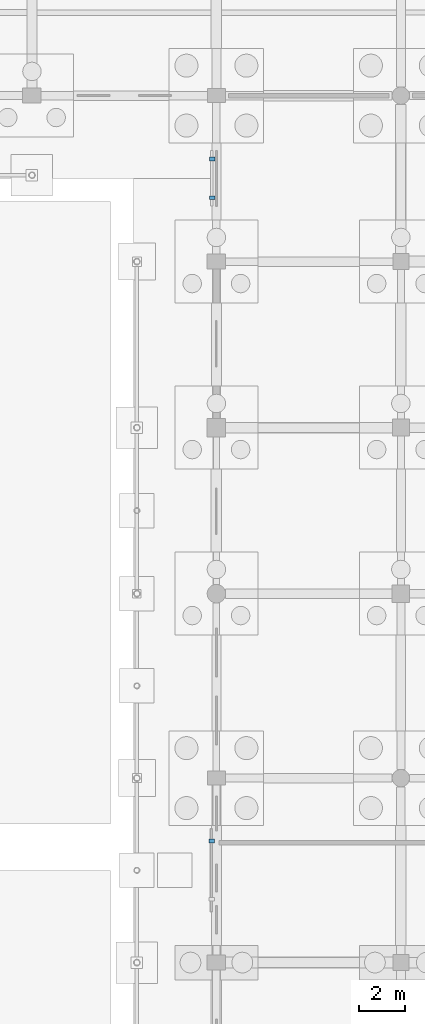
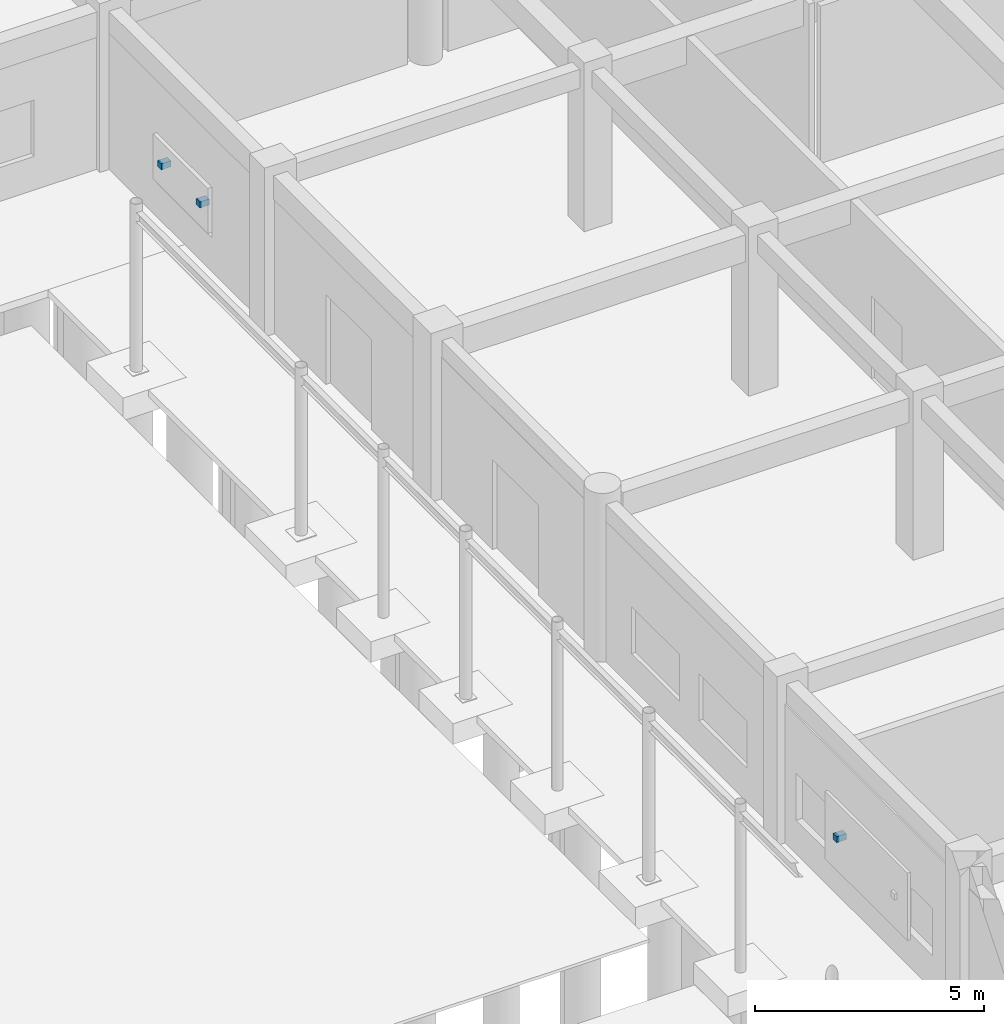
# One storey, part 149 of 166: 3 discrete accessories.
"""IFC4 building model written with IfcOpenShell, lengths in metres."""

from ifc_helpers import new_model, si_unit, direction, frame, origin, origin_2d, place, context, subcontext, project, spatial, rectangle, extrude, material, type_object, element, save


model = new_model("IFC4")

# Units and contexts
model_context = context("Model", 3, precision=1e-05, world=origin(), true_north=direction((0.0, 1.0)))
body_context = subcontext(model_context, "Body", "Model", "MODEL_VIEW")
ifc_project = project(units=[si_unit("LENGTHUNIT", "METRE"), si_unit("AREAUNIT", "SQUARE_METRE"), si_unit("VOLUMEUNIT", "CUBIC_METRE"), si_unit("PLANEANGLEUNIT", "RADIAN"), si_unit("MASSUNIT", "GRAM", prefix="KILO")], contexts=[model_context])

# Site, building, storey
site_placement = place(None, origin())
site = spatial("IfcSite", under=ifc_project, at=site_placement, CompositionType="ELEMENT")
building_placement = place(site_placement, origin())
building = spatial("IfcBuilding", under=site, at=building_placement, Name="Kharva Crest Polytechnic", CompositionType="ELEMENT")
storey_placement = place(building_placement, origin())
storey = spatial("IfcBuildingStorey", under=building, at=storey_placement, Name="L00", CompositionType="ELEMENT", Elevation=0.0)

# Discrete accessories
ifc_material = material(Name="Anodised aluminium", Category="aluminium")
discrete_accessory_type = type_object("IfcDiscreteAccessoryType", Name="ACC-BRK-JAALI", PredefinedType="BRACKET", material=ifc_material)
for number, where, z_axis, x_axis, name in (
    (1, (152.62744140625, 97.652587890625, 1.56982421875), (0.0, 0.0, 1.0), (0.0, 1.0, 0.0), "L00 Jaali Screen Bracket 20.1"),
    (2, (152.62744140625, 95.972412109375, 1.56982421875), (0.0, 0.0, 1.0), (0.0, 1.0, 0.0), "L00 Jaali Screen Bracket 20.2"),
    (3, (152.590087890625, 68.072509765625, 1.56982421875), (0.0, 0.0, 1.0), (0.0, 1.0, 0.0), "L00 Jaali Screen Bracket 21.1"),
):
    element("IfcDiscreteAccessory", number, at=place(storey_placement, frame(where, z_axis=z_axis, x_axis=x_axis)), inside=storey, type_object=discrete_accessory_type, Name=name, PredefinedType="BRACKET", context=body_context, shape_type="SweptSolid", body=[
        extrude(rectangle(XDim=0.159912109375, YDim=0.239990234375, at=origin_2d()), origin(), (0.0, 0.0, 1.0), 0.159912109375),
    ])

save(model, "model.ifc")
